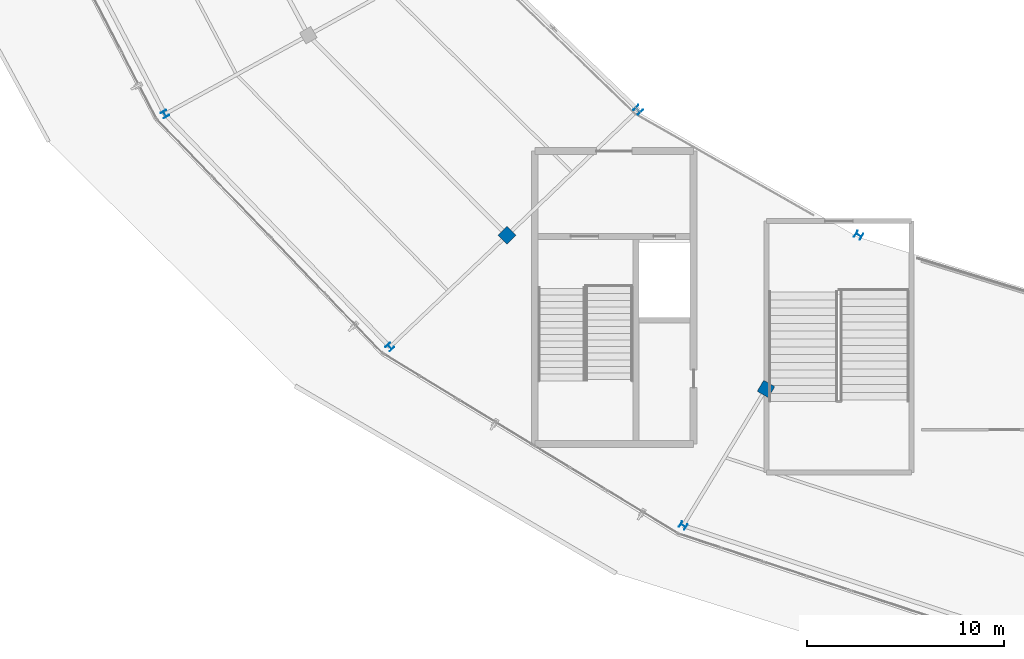
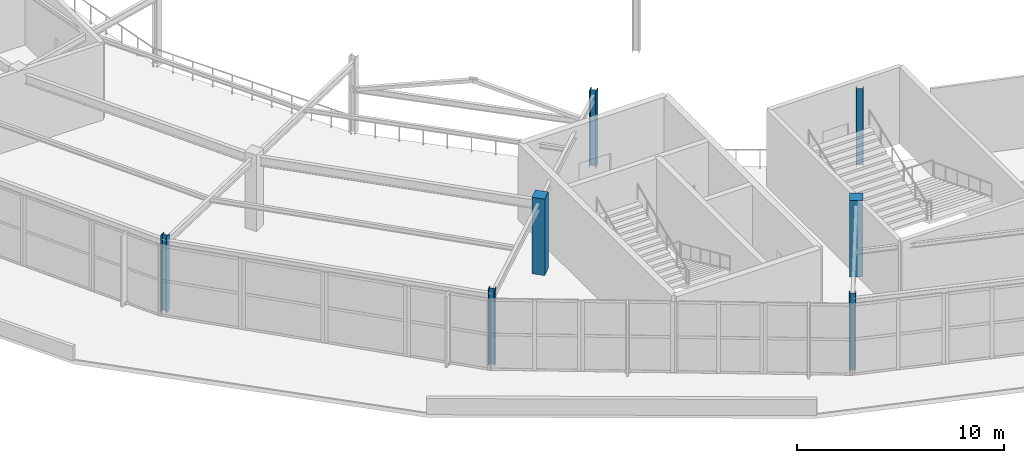
# One storey, part 1 of 126: 7 columns.
"""IFC4 building model written with IfcOpenShell, lengths in metres."""

from ifc_helpers import new_model, si_unit, direction, frame, origin, origin_2d, place, context, subcontext, project, spatial, rectangle, i_section, extrude, material, material_profile, profile_set, type_object, element, save


model = new_model("IFC4")

# Units and contexts
model_context = context("Model", 3, precision=1e-05, world=origin(), true_north=direction((0.0, 1.0)))
body_context = subcontext(model_context, "Body", "Model", "MODEL_VIEW")
ifc_project = project(units=[si_unit("LENGTHUNIT", "METRE"), si_unit("AREAUNIT", "SQUARE_METRE"), si_unit("VOLUMEUNIT", "CUBIC_METRE"), si_unit("PLANEANGLEUNIT", "RADIAN"), si_unit("MASSUNIT", "GRAM", prefix="KILO")], contexts=[model_context])

# Site, building, storey
site_placement = place(None, origin())
site = spatial("IfcSite", under=ifc_project, at=site_placement, CompositionType="ELEMENT")
building_placement = place(site_placement, origin())
building = spatial("IfcBuilding", under=site, at=building_placement, Name="Kalgoora Escarpment Arena", CompositionType="ELEMENT")
storey_placement = place(building_placement, frame((0.0, 0.0, 18.89990234375)))
storey = spatial("IfcBuildingStorey", under=building, at=storey_placement, Name="L04", CompositionType="ELEMENT", Elevation=18.89990234375)

# Columns
ifc_material_1 = material(Name="Structural steel AS/NZS 3679 (300 MPa)", Category="steel")
ifc_material_profile_1 = material_profile(ifc_material_1, i_section(OverallWidth=0.31103515625, OverallDepth=0.326904296875, WebThickness=0.015625, FlangeThickness=0.02490234375, at=origin_2d()))
ifc_profile_set_1 = profile_set([ifc_material_profile_1], Name="Structural steel AS/NZS 3679 (300 MPa)")
column_type_1 = type_object("IfcColumnType", Name="COL-COL-310UC158", PredefinedType="COLUMN", material=ifc_profile_set_1)
for number, where, z_axis, x_axis, name in (
    (1, (30.219482421875, 35.5, 0.0), (0.0, 0.0, 1.0), (-0.866025403784, -0.5, 0.0), "L04 structural column COL-RCONC2-R15"),
    (2, (41.629638671875, 23.69482421875, 0.0), (0.0, 0.0, 1.0), (-0.707106781187, -0.707106781187, 0.0), "L04 structural column COL-RCONC2-R16"),
    (3, (56.5, 14.63671875, 0.0), (0.0, 0.0, 1.0), (-0.5, -0.866025403784, 0.0), "L04 structural column COL-RCONC2-R17"),
):
    element("IfcColumn", number, at=place(storey_placement, frame(where, z_axis=z_axis, x_axis=x_axis)), inside=storey, type_object=column_type_1, Name=name, PredefinedType="COLUMN", context=body_context, shape_type="SweptSolid", body=[
        extrude(i_section(OverallWidth=0.31103515625, OverallDepth=0.326904296875, WebThickness=0.015625, FlangeThickness=0.02490234375, at=origin_2d()), origin(), (0.0, 0.0, 1.0), 4.5),
    ])
ifc_material_2 = material(Name="Structural steel Grade 350 (350 MPa)", Category="steel")
ifc_material_profile_2 = material_profile(ifc_material_2, i_section(OverallWidth=0.35009765625, OverallDepth=0.35009765625, WebThickness=0.013916015625, FlangeThickness=0.02392578125, at=origin_2d()))
ifc_profile_set_2 = profile_set([ifc_material_profile_2], Name="Structural steel Grade 350 (350 MPa)")
column_type_2 = type_object("IfcColumnType", Name="COL-COL-350WC197", PredefinedType="COLUMN", material=ifc_profile_set_2)
for number, where, z_axis, x_axis, name in (
    (4, (54.21630859375, 35.7158203125, 0.0), (0.0, 0.0, 1.0), (-0.707106781187, -0.707106781187, 0.0), "L04 structural column COL-RMAIN-R16"),
    (5, (65.39990234375, 29.35888671875, 0.0), (0.0, 0.0, 1.0), (-0.5, -0.866025403784, 0.0), "L04 structural column COL-RMAIN-R17"),
):
    element("IfcColumn", number, at=place(storey_placement, frame(where, z_axis=z_axis, x_axis=x_axis)), inside=storey, type_object=column_type_2, Name=name, PredefinedType="COLUMN", context=body_context, shape_type="SweptSolid", body=[
        extrude(i_section(OverallWidth=0.35009765625, OverallDepth=0.35009765625, WebThickness=0.013916015625, FlangeThickness=0.02392578125, at=origin_2d()), origin(), (0.0, 0.0, 1.0), 4.5),
    ])
ifc_material_3 = material(Name="Concrete N50 (fc' 50 MPa)", Category="concrete")
ifc_material_profile_3 = material_profile(ifc_material_3, rectangle(XDim=0.64990234375, YDim=0.64990234375, at=origin_2d()))
ifc_profile_set_3 = profile_set([ifc_material_profile_3], Name="Concrete N50 (fc' 50 MPa)")
column_type_3 = type_object("IfcColumnType", Name="COL-COL-RC650x650", PredefinedType="COLUMN", material=ifc_profile_set_3)
for number, where, z_axis, x_axis, name in (
    (6, (47.5693359375, 29.351806640625, 0.0), (0.0, 0.0, 1.0), (-0.707106781187, -0.707106781187, 0.0), "L04 structural column COL-RCONC1-R16"),
    (7, (60.699951171875, 21.564697265625, 0.0), (0.0, 0.0, 1.0), (-0.5, -0.866025403784, 0.0), "L04 structural column COL-RCONC1-R17"),
):
    element("IfcColumn", number, at=place(storey_placement, frame(where, z_axis=z_axis, x_axis=x_axis)), inside=storey, type_object=column_type_3, Name=name, PredefinedType="COLUMN", context=body_context, shape_type="SweptSolid", body=[
        extrude(rectangle(XDim=0.64990234375, YDim=0.64990234375, at=origin_2d()), origin(), (0.0, 0.0, 1.0), 4.5),
    ])

save(model, "model.ifc")
